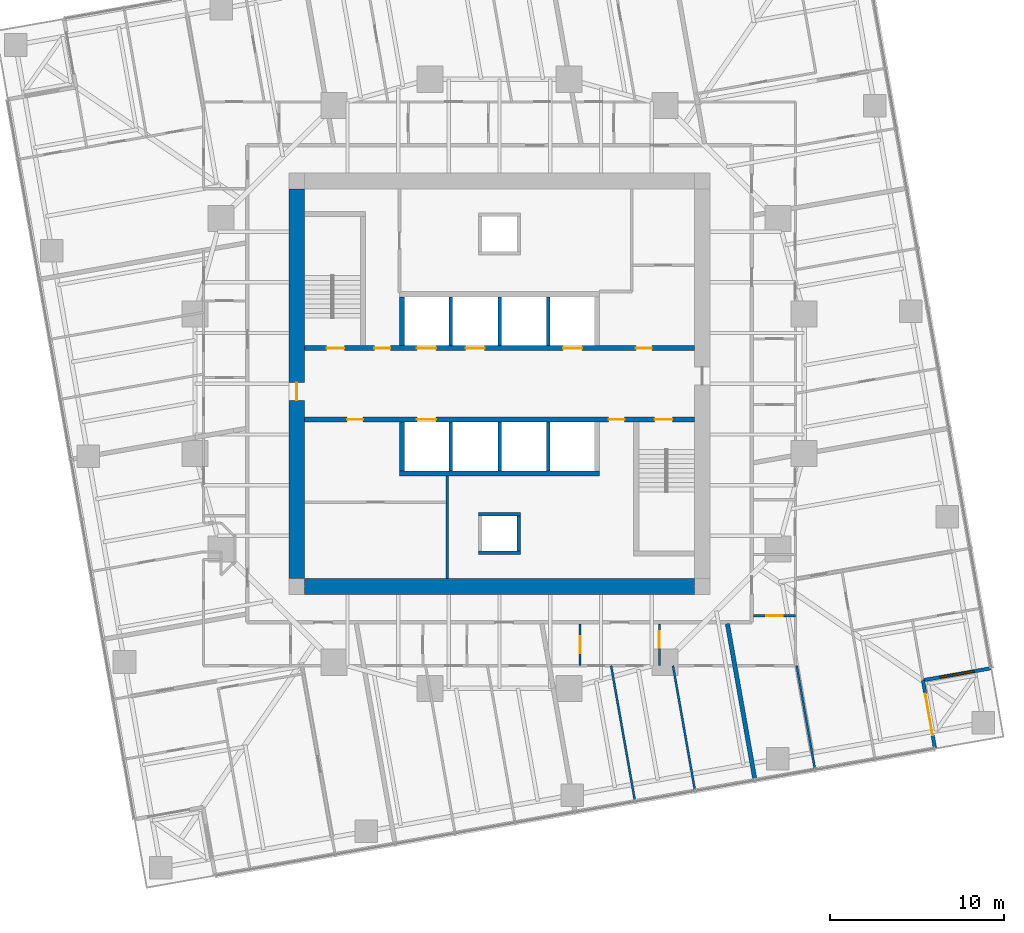
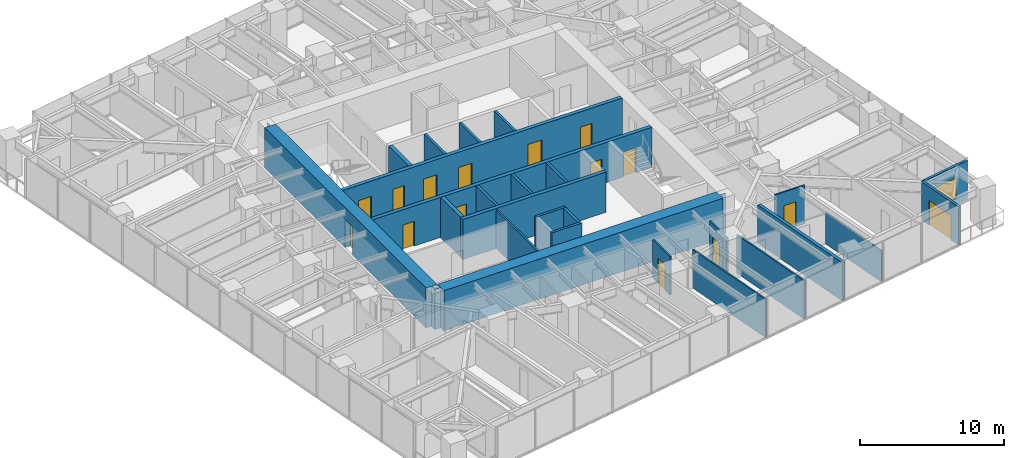
# One storey, part 10 of 14: 26 walls, 15 doors, 1 window, 16 openings.
"""IFC4 building model written with IfcOpenShell, lengths in metres."""

from ifc_helpers import new_model, si_unit, direction, frame, frame_2d, origin, place, context, subcontext, project, spatial, polyline, rectangle, outline, extrude, material, layer, layer_set, type_object, element, fill, save


model = new_model("IFC4")

# Units and contexts
model_context = context("Model", 3, precision=1e-05, world=origin(), true_north=direction((0.0, 1.0)))
body_context = subcontext(model_context, "Body", "Model", "MODEL_VIEW")
ifc_project = project(units=[si_unit("LENGTHUNIT", "METRE"), si_unit("AREAUNIT", "SQUARE_METRE"), si_unit("VOLUMEUNIT", "CUBIC_METRE"), si_unit("PLANEANGLEUNIT", "RADIAN"), si_unit("MASSUNIT", "GRAM", prefix="KILO")], contexts=[model_context])

# Site, building, storey
site_placement = place(None, origin())
site = spatial("IfcSite", under=ifc_project, at=site_placement, CompositionType="ELEMENT")
building_placement = place(site_placement, origin())
building = spatial("IfcBuilding", under=site, at=building_placement, Name="Torsade Residences", CompositionType="ELEMENT")
storey_placement = place(building_placement, frame((0.0, 0.0, 93.0)))
storey = spatial("IfcBuildingStorey", under=building, at=storey_placement, Name="L25", CompositionType="ELEMENT", Elevation=93.0)

# Wall, openings, doors
ifc_material_1 = material(Name="Concrete 80 MPa", Category="concrete")
ifc_layer_1 = layer(ifc_material_1, 0.300048828125)
ifc_layer_set_1 = layer_set([ifc_layer_1], Name="Concrete 80 MPa")
wall_type_1 = type_object("IfcWallType", Name="CORE INTERNAL WALL 300", PredefinedType="SHEAR", material=ifc_layer_set_1)
wall_1_placement = place(storey_placement, frame((28.800048828125, 32.050048828125, 0.0), z_axis=(0.0, 0.0, 1.0), x_axis=(1.0, 0.0, 0.0)))
wall_1 = element("IfcWall", 1, at=wall_1_placement, inside=storey, type_object=wall_type_1, Name="Core wall LN L25", PredefinedType="SHEAR", context=body_context, shape_type="SweptSolid", body=[
    extrude(rectangle(XDim=22.39990234375, YDim=0.300048828125, at=frame_2d((11.199951171875, 0.0))), origin(), (0.0, 0.0, 1.0), 3.39990234375),
])
opening_1_placement = place(wall_1_placement, frame((19.0400390625, 0.0, 0.0)))
opening_1 = element("IfcOpeningElement", 2, at=opening_1_placement, cuts=wall_1, Name="Opening D06", PredefinedType="OPENING", context=body_context, shape_type="SweptSolid", body=[
    extrude(rectangle(XDim=0.919921875, YDim=2.10009765625, at=frame_2d((0.4599609375, 1.050048828125))), frame((0.0, 0.159912109375, 0.0), z_axis=(0.0, -1.0, 0.0), x_axis=(1.0, 0.0, 0.0)), (0.0, 0.0, 1.0), 0.320068359375),
])
opening_2_placement = place(wall_1_placement, frame((1.264892578125, 0.0, 0.0)))
opening_2 = element("IfcOpeningElement", 3, at=opening_2_placement, cuts=wall_1, Name="Opening D03", PredefinedType="OPENING", context=body_context, shape_type="SweptSolid", body=[
    extrude(rectangle(XDim=1.02001953125, YDim=2.10009765625, at=frame_2d((0.510009765625, 1.050048828125))), frame((0.0, 0.159912109375, 0.0), z_axis=(0.0, -1.0, 0.0), x_axis=(1.0, 0.0, 0.0)), (0.0, 0.0, 1.0), 0.320068359375),
])
opening_3_placement = place(wall_1_placement, frame((4.014892578125, 0.0, 0.0)))
opening_3 = element("IfcOpeningElement", 4, at=opening_3_placement, cuts=wall_1, Name="Opening D06", PredefinedType="OPENING", context=body_context, shape_type="SweptSolid", body=[
    extrude(rectangle(XDim=0.919921875, YDim=2.10009765625, at=frame_2d((0.4599609375, 1.050048828125))), frame((0.0, 0.159912109375, 0.0), z_axis=(0.0, -1.0, 0.0), x_axis=(1.0, 0.0, 0.0)), (0.0, 0.0, 1.0), 0.320068359375),
])
opening_4_placement = place(wall_1_placement, frame((6.449951171875, 0.0, 0.0)))
opening_4 = element("IfcOpeningElement", 5, at=opening_4_placement, cuts=wall_1, Name="Opening LD", PredefinedType="OPENING", context=body_context, shape_type="SweptSolid", body=[
    extrude(rectangle(XDim=1.10009765625, YDim=2.10009765625, at=frame_2d((0.550048828125, 1.050048828125))), frame((0.0, 0.159912109375, 0.0), z_axis=(0.0, -1.0, 0.0), x_axis=(1.0, 0.0, 0.0)), (0.0, 0.0, 1.0), 0.320068359375),
])
opening_5_placement = place(wall_1_placement, frame((9.25, 0.0, 0.0)))
opening_5 = element("IfcOpeningElement", 6, at=opening_5_placement, cuts=wall_1, Name="Opening LD", PredefinedType="OPENING", context=body_context, shape_type="SweptSolid", body=[
    extrude(rectangle(XDim=1.10009765625, YDim=2.10009765625, at=frame_2d((0.550048828125, 1.050048828125))), frame((0.0, 0.159912109375, 0.0), z_axis=(0.0, -1.0, 0.0), x_axis=(1.0, 0.0, 0.0)), (0.0, 0.0, 1.0), 0.320068359375),
])
opening_6_placement = place(wall_1_placement, frame((14.85009765625, 0.0, 0.0)))
opening_6 = element("IfcOpeningElement", 7, at=opening_6_placement, cuts=wall_1, Name="Opening LD", PredefinedType="OPENING", context=body_context, shape_type="SweptSolid", body=[
    extrude(rectangle(XDim=1.10009765625, YDim=2.10009765625, at=frame_2d((0.550048828125, 1.050048828125))), frame((0.0, 0.159912109375, 0.0), z_axis=(0.0, -1.0, 0.0), x_axis=(1.0, 0.0, 0.0)), (0.0, 0.0, 1.0), 0.320068359375),
])
ifc_material_2 = material(Name="Steel-framed fire door", Category="steel")
door_type_1 = type_object("IfcDoorType", Name="FIRE DOOR 1020", OperationType="NOTDEFINED", PredefinedType="DOOR", material=ifc_material_2)
door_1_placement = place(opening_2_placement, origin())
door_1 = element("IfcDoor", 8, at=door_1_placement, inside=storey, type_object=door_type_1, Name="Exit door to fire-isolated stair ST1 L25", OperationType="SINGLE_SWING_RIGHT", OverallHeight=2.10009765625, OverallWidth=1.02001953125, PredefinedType="DOOR", context=body_context, shape_type="SweptSolid", body=[
    extrude(rectangle(XDim=1.02001953125, YDim=2.10009765625, at=frame_2d((0.510009765625, 1.050048828125))), frame((0.0, 0.02490234375, 0.0), z_axis=(0.0, -1.0, 0.0), x_axis=(1.0, 0.0, 0.0)), (0.0, 0.0, 1.0), 0.050048828125),
])
fill(opening_2, door_1)
ifc_material_3 = material(Name="Steel-framed fire door", Category="steel")
door_type_2 = type_object("IfcDoorType", Name="FIRE DOOR 920", OperationType="NOTDEFINED", PredefinedType="DOOR", material=ifc_material_3)
door_2_placement = place(opening_1_placement, origin())
door_2 = element("IfcDoor", 9, at=door_2_placement, inside=storey, type_object=door_type_2, Name="Door Lift lobby to Refuse room", OperationType="SINGLE_SWING_LEFT", OverallHeight=2.10009765625, OverallWidth=0.919921875, PredefinedType="DOOR", context=body_context, shape_type="SweptSolid", body=[
    extrude(rectangle(XDim=0.919921875, YDim=2.10009765625, at=frame_2d((0.4599609375, 1.050048828125))), frame((0.0, 0.02490234375, 0.0), z_axis=(0.0, -1.0, 0.0), x_axis=(1.0, 0.0, 0.0)), (0.0, 0.0, 1.0), 0.050048828125),
])
fill(opening_1, door_2)
door_3_placement = place(opening_3_placement, origin())
door_3 = element("IfcDoor", 10, at=door_3_placement, inside=storey, type_object=door_type_2, Name="Door Lift lobby to Meter store", OperationType="SINGLE_SWING_LEFT", OverallHeight=2.10009765625, OverallWidth=0.919921875, PredefinedType="DOOR", context=body_context, shape_type="SweptSolid", body=[
    extrude(rectangle(XDim=0.919921875, YDim=2.10009765625, at=frame_2d((0.4599609375, 1.050048828125))), frame((0.0, 0.02490234375, 0.0), z_axis=(0.0, -1.0, 0.0), x_axis=(1.0, 0.0, 0.0)), (0.0, 0.0, 1.0), 0.050048828125),
])
fill(opening_3, door_3)
ifc_material_4 = material(Name="Stainless steel lift landing door", Category="steel")
door_type_3 = type_object("IfcDoorType", Name="LIFT LANDING DOOR 1100", OperationType="SLIDING_TO_LEFT", PredefinedType="DOOR", material=ifc_material_4)
door_4_placement = place(opening_4_placement, origin())
door_4 = element("IfcDoor", 11, at=door_4_placement, inside=storey, type_object=door_type_3, Name="Lift LA1 landing door L25", OperationType="SLIDING_TO_LEFT", OverallHeight=2.10009765625, OverallWidth=1.10009765625, PredefinedType="DOOR", context=body_context, shape_type="SweptSolid", body=[
    extrude(rectangle(XDim=1.10009765625, YDim=2.10009765625, at=frame_2d((0.550048828125, 1.050048828125))), frame((0.0, 0.02490234375, 0.0), z_axis=(0.0, -1.0, 0.0), x_axis=(1.0, 0.0, 0.0)), (0.0, 0.0, 1.0), 0.050048828125),
])
fill(opening_4, door_4)
door_5_placement = place(opening_5_placement, origin())
door_5 = element("IfcDoor", 12, at=door_5_placement, inside=storey, type_object=door_type_3, Name="Lift LA2 landing door L25", OperationType="SLIDING_TO_LEFT", OverallHeight=2.10009765625, OverallWidth=1.10009765625, PredefinedType="DOOR", context=body_context, shape_type="SweptSolid", body=[
    extrude(rectangle(XDim=1.10009765625, YDim=2.10009765625, at=frame_2d((0.550048828125, 1.050048828125))), frame((0.0, 0.02490234375, 0.0), z_axis=(0.0, -1.0, 0.0), x_axis=(1.0, 0.0, 0.0)), (0.0, 0.0, 1.0), 0.050048828125),
])
fill(opening_5, door_5)
door_6_placement = place(opening_6_placement, origin())
door_6 = element("IfcDoor", 13, at=door_6_placement, inside=storey, type_object=door_type_3, Name="Lift FL1 landing door L25", OperationType="SLIDING_TO_LEFT", OverallHeight=2.10009765625, OverallWidth=1.10009765625, PredefinedType="DOOR", context=body_context, shape_type="SweptSolid", body=[
    extrude(rectangle(XDim=1.10009765625, YDim=2.10009765625, at=frame_2d((0.550048828125, 1.050048828125))), frame((0.0, 0.02490234375, 0.0), z_axis=(0.0, -1.0, 0.0), x_axis=(1.0, 0.0, 0.0)), (0.0, 0.0, 1.0), 0.050048828125),
])
fill(opening_6, door_6)

wall_2_placement = place(storey_placement, frame((51.199951171875, 27.949951171875, 0.0), z_axis=(0.0, 0.0, 1.0), x_axis=(-1.0, 0.0, 0.0)))
wall_2 = element("IfcWall", 14, at=wall_2_placement, inside=storey, type_object=wall_type_1, Name="Core wall LS L25", PredefinedType="SHEAR", context=body_context, shape_type="SweptSolid", body=[
    extrude(rectangle(XDim=22.39990234375, YDim=0.300048828125, at=frame_2d((11.199951171875, 0.0))), origin(), (0.0, 0.0, 1.0), 3.39990234375),
])
opening_7_placement = place(wall_2_placement, frame((19.0400390625, 0.0, 0.0)))
opening_7 = element("IfcOpeningElement", 15, at=opening_7_placement, cuts=wall_2, Name="Opening D06", PredefinedType="OPENING", context=body_context, shape_type="SweptSolid", body=[
    extrude(rectangle(XDim=0.919921875, YDim=2.10009765625, at=frame_2d((0.4599609375, 1.050048828125))), frame((0.0, 0.159912109375, 0.0), z_axis=(0.0, -1.0, 0.0), x_axis=(1.0, 0.0, 0.0)), (0.0, 0.0, 1.0), 0.320068359375),
])
opening_8_placement = place(wall_2_placement, frame((1.264892578125, 0.0, 0.0)))
opening_8 = element("IfcOpeningElement", 16, at=opening_8_placement, cuts=wall_2, Name="Opening D03", PredefinedType="OPENING", context=body_context, shape_type="SweptSolid", body=[
    extrude(rectangle(XDim=1.02001953125, YDim=2.10009765625, at=frame_2d((0.510009765625, 1.050048828125))), frame((0.0, 0.159912109375, 0.0), z_axis=(0.0, -1.0, 0.0), x_axis=(1.0, 0.0, 0.0)), (0.0, 0.0, 1.0), 0.320068359375),
])
opening_9_placement = place(wall_2_placement, frame((4.014892578125, 0.0, 0.0)))
opening_9 = element("IfcOpeningElement", 17, at=opening_9_placement, cuts=wall_2, Name="Opening D06", PredefinedType="OPENING", context=body_context, shape_type="SweptSolid", body=[
    extrude(rectangle(XDim=0.919921875, YDim=2.10009765625, at=frame_2d((0.4599609375, 1.050048828125))), frame((0.0, 0.159912109375, 0.0), z_axis=(0.0, -1.0, 0.0), x_axis=(1.0, 0.0, 0.0)), (0.0, 0.0, 1.0), 0.320068359375),
])
opening_10_placement = place(wall_2_placement, frame((14.85009765625, 0.0, 0.0)))
opening_10 = element("IfcOpeningElement", 18, at=opening_10_placement, cuts=wall_2, Name="Opening LD", PredefinedType="OPENING", context=body_context, shape_type="SweptSolid", body=[
    extrude(rectangle(XDim=1.10009765625, YDim=2.10009765625, at=frame_2d((0.550048828125, 1.050048828125))), frame((0.0, 0.159912109375, 0.0), z_axis=(0.0, -1.0, 0.0), x_axis=(1.0, 0.0, 0.0)), (0.0, 0.0, 1.0), 0.320068359375),
])
door_7_placement = place(opening_8_placement, origin())
door_7 = element("IfcDoor", 19, at=door_7_placement, inside=storey, type_object=door_type_1, Name="Exit door to fire-isolated stair ST2 L25", OperationType="SINGLE_SWING_RIGHT", OverallHeight=2.10009765625, OverallWidth=1.02001953125, PredefinedType="DOOR", context=body_context, shape_type="SweptSolid", body=[
    extrude(rectangle(XDim=1.02001953125, YDim=2.10009765625, at=frame_2d((0.510009765625, 1.050048828125))), frame((0.0, 0.02490234375, 0.0), z_axis=(0.0, -1.0, 0.0), x_axis=(1.0, 0.0, 0.0)), (0.0, 0.0, 1.0), 0.050048828125),
])
fill(opening_8, door_7)
door_8_placement = place(opening_7_placement, origin())
door_8 = element("IfcDoor", 20, at=door_8_placement, inside=storey, type_object=door_type_2, Name="Door Lift lobby to Cleaner store", OperationType="SINGLE_SWING_LEFT", OverallHeight=2.10009765625, OverallWidth=0.919921875, PredefinedType="DOOR", context=body_context, shape_type="SweptSolid", body=[
    extrude(rectangle(XDim=0.919921875, YDim=2.10009765625, at=frame_2d((0.4599609375, 1.050048828125))), frame((0.0, 0.02490234375, 0.0), z_axis=(0.0, -1.0, 0.0), x_axis=(1.0, 0.0, 0.0)), (0.0, 0.0, 1.0), 0.050048828125),
])
fill(opening_7, door_8)
door_9_placement = place(opening_9_placement, origin())
door_9 = element("IfcDoor", 21, at=door_9_placement, inside=storey, type_object=door_type_2, Name="Door Lift lobby to Communications riser room", OperationType="SINGLE_SWING_RIGHT", OverallHeight=2.10009765625, OverallWidth=0.919921875, PredefinedType="DOOR", context=body_context, shape_type="SweptSolid", body=[
    extrude(rectangle(XDim=0.919921875, YDim=2.10009765625, at=frame_2d((0.4599609375, 1.050048828125))), frame((0.0, 0.02490234375, 0.0), z_axis=(0.0, -1.0, 0.0), x_axis=(1.0, 0.0, 0.0)), (0.0, 0.0, 1.0), 0.050048828125),
])
fill(opening_9, door_9)
door_10_placement = place(opening_10_placement, origin())
door_10 = element("IfcDoor", 22, at=door_10_placement, inside=storey, type_object=door_type_3, Name="Lift FL2 landing door L25", OperationType="SLIDING_TO_LEFT", OverallHeight=2.10009765625, OverallWidth=1.10009765625, PredefinedType="DOOR", context=body_context, shape_type="SweptSolid", body=[
    extrude(rectangle(XDim=1.10009765625, YDim=2.10009765625, at=frame_2d((0.550048828125, 1.050048828125))), frame((0.0, 0.02490234375, 0.0), z_axis=(0.0, -1.0, 0.0), x_axis=(1.0, 0.0, 0.0)), (0.0, 0.0, 1.0), 0.050048828125),
])
fill(opening_10, door_10)

# Walls
wall_3_placement = place(storey_placement, frame((45.75, 24.85009765625, 0.0), z_axis=(0.0, 0.0, 1.0), x_axis=(-1.0, 0.0, 0.0)))
element("IfcWall", 23, at=wall_3_placement, inside=storey, type_object=wall_type_1, Name="Core wall BS L25", PredefinedType="SHEAR", context=body_context, shape_type="SweptSolid", body=[
    extrude(rectangle(XDim=11.5, YDim=0.300048828125, at=frame_2d((5.75, 0.0))), origin(), (0.0, 0.0, 1.0), 3.39990234375),
])
for number, where, z_axis, x_axis, name in (
    (24, (34.39990234375, 32.199951171875, 0.0), (0.0, 0.0, 1.0), (0.0, 1.0, 0.0), "Core wall DN0 L25"),
    (25, (34.39990234375, 27.800048828125, 0.0), (0.0, 0.0, 1.0), (0.0, -1.0, 0.0), "Core wall DS4 L25"),
):
    element("IfcWall", number, at=place(storey_placement, frame(where, z_axis=z_axis, x_axis=x_axis)), inside=storey, type_object=wall_type_1, Name=name, PredefinedType="SHEAR", context=body_context, shape_type="SweptSolid", body=[
        extrude(rectangle(XDim=2.800048828125, YDim=0.300048828125, at=frame_2d((1.39990234375, 0.0))), origin(), (0.0, 0.0, 1.0), 3.39990234375),
    ])
ifc_material_5 = material(Name="Concrete 80 MPa", Category="concrete")
ifc_layer_2 = layer(ifc_material_5, 0.89990234375)
ifc_layer_set_2 = layer_set([ifc_layer_2], Name="Concrete 80 MPa")
wall_type_2 = type_object("IfcWallType", Name="CORE WALL 900", PredefinedType="SHEAR", material=ifc_layer_set_2)
wall_4_placement = place(storey_placement, frame((51.199951171875, 18.35009765625, 0.0), z_axis=(0.0, 0.0, 1.0), x_axis=(-1.0, 0.0, 0.0)))
element("IfcWall", 26, at=wall_4_placement, inside=storey, type_object=wall_type_2, Name="Core wall S L25", PredefinedType="SHEAR", context=body_context, shape_type="SweptSolid", body=[
    extrude(outline(polyline([(0.0, -0.449951171875), (22.39990234375, -0.449951171875), (22.39990234375, -0.02490234375), (22.849853515625, -0.02490234375), (22.849853515625, 0.02490234375), (22.39990234375, 0.02490234375), (22.39990234375, 0.449951171875), (0.0, 0.449951171875), (0.0, 0.02490234375), (-0.449951171875, 0.02490234375), (-0.449951171875, -0.02490234375), (0.0, -0.02490234375), (0.0, -0.449951171875)])), origin(), (0.0, 0.0, 1.0), 3.39990234375),
])

# Wall, opening, door
wall_5_placement = place(storey_placement, frame((28.35009765625, 41.199951171875, 0.0), z_axis=(0.0, 0.0, 1.0), x_axis=(0.0, -1.0, 0.0)))
wall_5 = element("IfcWall", 27, at=wall_5_placement, inside=storey, type_object=wall_type_2, Name="Core wall W L25", PredefinedType="SHEAR", context=body_context, shape_type="SweptSolid", body=[
    extrude(outline(polyline([(0.0, -0.449951171875), (22.39990234375, -0.449951171875), (22.39990234375, -0.02490234375), (22.849853515625, -0.02490234375), (22.849853515625, 0.02490234375), (22.39990234375, 0.02490234375), (22.39990234375, 0.449951171875), (0.0, 0.449951171875), (0.0, 0.02490234375), (-0.449951171875, 0.02490234375), (-0.449951171875, -0.02490234375), (0.0, -0.02490234375), (0.0, -0.449951171875)])), origin(), (0.0, 0.0, 1.0), 3.39990234375),
])
opening_11_placement = place(wall_5_placement, frame((11.139892578125, 0.0, 0.0)))
opening_11 = element("IfcOpeningElement", 28, at=opening_11_placement, cuts=wall_5, Name="Opening D04", PredefinedType="OPENING", context=body_context, shape_type="SweptSolid", body=[
    extrude(rectangle(XDim=1.02001953125, YDim=2.39990234375, at=frame_2d((0.510009765625, 1.199951171875))), frame((0.0, 0.4599609375, 0.0), z_axis=(0.0, -1.0, 0.0), x_axis=(1.0, 0.0, 0.0)), (0.0, 0.0, 1.0), 0.919921875),
])
ifc_material_6 = material(Name="Steel-framed fire door", Category="steel")
door_type_4 = type_object("IfcDoorType", Name="LOBBY SMOKE DOOR 1020x2400", OperationType="NOTDEFINED", PredefinedType="DOOR", material=ifc_material_6)
door_11_placement = place(opening_11_placement, origin())
door_11 = element("IfcDoor", 29, at=door_11_placement, inside=storey, type_object=door_type_4, Name="Lift lobby door W L25", OperationType="SINGLE_SWING_RIGHT", OverallHeight=2.39990234375, OverallWidth=1.02001953125, PredefinedType="DOOR", context=body_context, shape_type="SweptSolid", body=[
    extrude(rectangle(XDim=1.02001953125, YDim=2.39990234375, at=frame_2d((0.510009765625, 1.199951171875))), frame((0.0, 0.02490234375, 0.0), z_axis=(0.0, -1.0, 0.0), x_axis=(1.0, 0.0, 0.0)), (0.0, 0.0, 1.0), 0.050048828125),
])
fill(opening_11, door_11)

# Walls
ifc_material_7 = material(Name="Reinforced blockwork", Category="masonry")
ifc_layer_3 = layer(ifc_material_7, 0.199951171875)
ifc_layer_set_3 = layer_set([ifc_layer_3], Name="Reinforced blockwork")
wall_type_3 = type_object("IfcWallType", Name="LIFT SHAFT DIVIDING WALL 200", PredefinedType="SOLIDWALL", material=ifc_layer_set_3)
for number, where, z_axis, x_axis, name in (
    (30, (37.199951171875, 32.199951171875, 0.0), (0.0, 0.0, 1.0), (0.0, 1.0, 0.0), "Core wall DN1 L25"),
    (31, (42.800048828125, 27.800048828125, 0.0), (0.0, 0.0, 1.0), (0.0, -1.0, 0.0), "Core wall DS1 L25"),
    (32, (40.0, 32.199951171875, 0.0), (0.0, 0.0, 1.0), (0.0, 1.0, 0.0), "Core wall DN2 L25"),
    (33, (40.0, 27.800048828125, 0.0), (0.0, 0.0, 1.0), (0.0, -1.0, 0.0), "Core wall DS2 L25"),
    (34, (42.800048828125, 32.199951171875, 0.0), (0.0, 0.0, 1.0), (0.0, 1.0, 0.0), "Core wall DN3 L25"),
    (35, (37.199951171875, 27.800048828125, 0.0), (0.0, 0.0, 1.0), (0.0, -1.0, 0.0), "Core wall DS3 L25"),
):
    element("IfcWall", number, at=place(storey_placement, frame(where, z_axis=z_axis, x_axis=x_axis)), inside=storey, type_object=wall_type_3, Name=name, PredefinedType="SOLIDWALL", context=body_context, shape_type="SweptSolid", body=[
        extrude(rectangle(XDim=2.800048828125, YDim=0.199951171875, at=frame_2d((1.39990234375, 0.0))), origin(), (0.0, 0.0, 1.0), 3.39990234375),
    ])

# Wall, opening, door
ifc_material_8 = material(Name="Plasterboard on steel stud", Category="steel")
ifc_layer_4 = layer(ifc_material_8, 0.1201171875)
ifc_layer_set_4 = layer_set([ifc_layer_4], Name="Plasterboard on steel stud")
wall_type_4 = type_object("IfcWallType", Name="PARTITION 120", PredefinedType="PARTITIONING", material=ifc_layer_set_4)
wall_6_placement = place(storey_placement, frame((49.184814453125, 16.199951171875, 0.0), z_axis=(0.0, 0.0, 1.0), x_axis=(0.0, -1.0, 0.0)))
wall_6 = element("IfcWall", 36, at=wall_6_placement, inside=storey, type_object=wall_type_4, Name="Partition L25", PredefinedType="PARTITIONING", context=body_context, shape_type="SweptSolid", body=[
    extrude(rectangle(XDim=2.39990234375, YDim=0.1201171875, at=frame_2d((1.199951171875, 0.0))), origin(), (0.0, 0.0, 1.0), 3.25),
])
opening_12_placement = place(wall_6_placement, frame((0.419921875, 0.0, 0.0)))
opening_12 = element("IfcOpeningElement", 37, at=opening_12_placement, cuts=wall_6, Name="Opening D05", PredefinedType="OPENING", context=body_context, shape_type="SweptSolid", body=[
    extrude(rectangle(XDim=0.9599609375, YDim=2.10009765625, at=frame_2d((0.47998046875, 1.050048828125))), frame((0.0, 0.070068359375, 0.0), z_axis=(0.0, -1.0, 0.0), x_axis=(1.0, 0.0, 0.0)), (0.0, 0.0, 1.0), 0.14013671875),
])
ifc_material_9 = material(Name="Hollow-core timber door in a steel cavity frame", Category="steel")
door_type_5 = type_object("IfcDoorType", Name="BATHROOM CAVITY SLIDING DOOR 960", OperationType="SLIDING_TO_LEFT", PredefinedType="DOOR", material=ifc_material_9)
door_12_placement = place(opening_12_placement, origin())
door_12 = element("IfcDoor", 38, at=door_12_placement, inside=storey, type_object=door_type_5, Name="Door Kitchen and dining to Bathroom", OperationType="SLIDING_TO_LEFT", OverallHeight=2.10009765625, OverallWidth=0.9599609375, PredefinedType="DOOR", context=body_context, shape_type="SweptSolid", body=[
    extrude(rectangle(XDim=0.9599609375, YDim=2.10009765625, at=frame_2d((0.47998046875, 1.050048828125))), frame((0.0, 0.02490234375, 0.0), z_axis=(0.0, -1.0, 0.0), x_axis=(1.0, 0.0, 0.0)), (0.0, 0.0, 1.0), 0.050048828125),
])
fill(opening_12, door_12)

wall_7_placement = place(storey_placement, frame((44.627685546875, 13.800048828125, 0.0), z_axis=(0.0, 0.0, 1.0), x_axis=(0.0, 1.0, 0.0)))
wall_7 = element("IfcWall", 39, at=wall_7_placement, inside=storey, type_object=wall_type_4, Name="Partition L25", PredefinedType="PARTITIONING", context=body_context, shape_type="SweptSolid", body=[
    extrude(rectangle(XDim=2.39990234375, YDim=0.1201171875, at=frame_2d((1.199951171875, 0.0))), origin(), (0.0, 0.0, 1.0), 3.25),
])
opening_13_placement = place(wall_7_placement, frame((0.719970703125, 0.0, 0.0)))
opening_13 = element("IfcOpeningElement", 40, at=opening_13_placement, cuts=wall_7, Name="Opening D05", PredefinedType="OPENING", context=body_context, shape_type="SweptSolid", body=[
    extrude(rectangle(XDim=0.9599609375, YDim=2.10009765625, at=frame_2d((0.47998046875, 1.050048828125))), frame((0.0, 0.070068359375, 0.0), z_axis=(0.0, -1.0, 0.0), x_axis=(1.0, 0.0, 0.0)), (0.0, 0.0, 1.0), 0.14013671875),
])
door_13_placement = place(opening_13_placement, origin())
door_13 = element("IfcDoor", 41, at=door_13_placement, inside=storey, type_object=door_type_5, Name="Door Kitchen and dining to Ensuite", OperationType="SLIDING_TO_LEFT", OverallHeight=2.10009765625, OverallWidth=0.9599609375, PredefinedType="DOOR", context=body_context, shape_type="SweptSolid", body=[
    extrude(rectangle(XDim=0.9599609375, YDim=2.10009765625, at=frame_2d((0.47998046875, 1.050048828125))), frame((0.0, 0.02490234375, 0.0), z_axis=(0.0, -1.0, 0.0), x_axis=(1.0, 0.0, 0.0)), (0.0, 0.0, 1.0), 0.050048828125),
])
fill(opening_13, door_13)

# Walls
wall_8_placement = place(storey_placement, frame((46.410400390625, 13.800048828125, 0.0), z_axis=(0.0, 0.0, 1.0), x_axis=(0.173645935638, -0.98480814834, 0.0)))
element("IfcWall", 42, at=wall_8_placement, inside=storey, type_object=wall_type_4, Name="Partition L25", PredefinedType="PARTITIONING", context=body_context, shape_type="SweptSolid", body=[
    extrude(rectangle(XDim=7.89306640625, YDim=0.1201171875, at=frame_2d((3.946533203125, 0.0))), origin(), (0.0, 0.0, 1.0), 3.25),
])
wall_9_placement = place(storey_placement, frame((49.96435546875, 13.800048828125, 0.0), z_axis=(0.0, 0.0, 1.0), x_axis=(0.173647508681, -0.984807870972, 0.0)))
element("IfcWall", 43, at=wall_9_placement, inside=storey, type_object=wall_type_4, Name="Partition L25", PredefinedType="PARTITIONING", context=body_context, shape_type="SweptSolid", body=[
    extrude(rectangle(XDim=7.27587890625, YDim=0.1201171875, at=frame_2d((3.637939453125, 0.0))), origin(), (0.0, 0.0, 1.0), 3.25),
])

# Wall, opening, door
wall_10_placement = place(storey_placement, frame((57.0, 16.671142578125, 0.0), z_axis=(0.0, 0.0, 1.0), x_axis=(-1.0, 0.0, 0.0)))
wall_10 = element("IfcWall", 44, at=wall_10_placement, inside=storey, type_object=wall_type_4, Name="Partition L25", PredefinedType="PARTITIONING", context=body_context, shape_type="SweptSolid", body=[
    extrude(rectangle(XDim=2.39990234375, YDim=0.1201171875, at=frame_2d((1.199951171875, 0.0))), origin(), (0.0, 0.0, 1.0), 3.25),
])
opening_14_placement = place(wall_10_placement, frame((0.719970703125, 0.0, 0.0)))
opening_14 = element("IfcOpeningElement", 45, at=opening_14_placement, cuts=wall_10, Name="Opening D05", PredefinedType="OPENING", context=body_context, shape_type="SweptSolid", body=[
    extrude(rectangle(XDim=0.9599609375, YDim=2.10009765625, at=frame_2d((0.47998046875, 1.050048828125))), frame((0.0, 0.070068359375, 0.0), z_axis=(0.0, -1.0, 0.0), x_axis=(1.0, 0.0, 0.0)), (0.0, 0.0, 1.0), 0.14013671875),
])
door_14_placement = place(opening_14_placement, origin())
door_14 = element("IfcDoor", 46, at=door_14_placement, inside=storey, type_object=door_type_5, Name="Door Kitchen and dining to WC", OperationType="SLIDING_TO_LEFT", OverallHeight=2.10009765625, OverallWidth=0.9599609375, PredefinedType="DOOR", context=body_context, shape_type="SweptSolid", body=[
    extrude(rectangle(XDim=0.9599609375, YDim=2.10009765625, at=frame_2d((0.47998046875, 1.050048828125))), frame((0.0, 0.02490234375, 0.0), z_axis=(0.0, -1.0, 0.0), x_axis=(1.0, 0.0, 0.0)), (0.0, 0.0, 1.0), 0.050048828125),
])
fill(opening_14, door_14)

# Walls
wall_11_placement = place(storey_placement, frame((58.12158203125, 7.850341796875, 0.0), z_axis=(0.0, 0.0, 1.0), x_axis=(-0.173644708382, 0.984808364734, 0.0)))
element("IfcWall", 47, at=wall_11_placement, inside=storey, type_object=wall_type_4, Name="Partition L25", PredefinedType="PARTITIONING", context=body_context, shape_type="SweptSolid", body=[
    extrude(rectangle(XDim=6.04150390625, YDim=0.1201171875, at=frame_2d((3.020751953125, 0.0))), origin(), (0.0, 0.0, 1.0), 2.637939453125),
])
ifc_material_10 = material(Name="Masonry-lined stud party wall", Category="masonry")
ifc_layer_5 = layer(ifc_material_10, 0.25)
ifc_layer_set_5 = layer_set([ifc_layer_5], Name="Masonry-lined stud party wall")
wall_type_5 = type_object("IfcWallType", Name="PARTY WALL 250", PredefinedType="PARTITIONING", material=ifc_layer_set_5)
wall_12_placement = place(storey_placement, frame((54.681640625, 7.203125, 0.0), z_axis=(0.0, 0.0, 1.0), x_axis=(-0.173630137029, 0.984810933893, 0.0)))
element("IfcWall", 48, at=wall_12_placement, inside=storey, type_object=wall_type_5, Name="Party wall L25", PredefinedType="PARTITIONING", context=body_context, shape_type="SweptSolid", body=[
    extrude(rectangle(XDim=9.153564453125, YDim=0.25, at=frame_2d((4.57666015625, 0.0))), origin(), (0.0, 0.0, 1.0), 3.25),
])
ifc_material_11 = material(Name="Reinforced blockwork", Category="masonry")
ifc_layer_6 = layer(ifc_material_11, 0.199951171875)
ifc_layer_set_6 = layer_set([ifc_layer_6], Name="Reinforced blockwork")
wall_type_6 = type_object("IfcWallType", Name="RISER SHAFT WALL 200", PredefinedType="SOLIDWALL", material=ifc_layer_set_6)
wall_13_placement = place(storey_placement, frame((41.10009765625, 22.39990234375, 0.0), z_axis=(0.0, 0.0, 1.0), x_axis=(0.0, -1.0, 0.0)))
element("IfcWall", 49, at=wall_13_placement, inside=storey, type_object=wall_type_6, Name="Core wall RS2b L25", PredefinedType="SOLIDWALL", context=body_context, shape_type="SweptSolid", body=[
    extrude(rectangle(XDim=2.0, YDim=0.199951171875, at=frame_2d((1.0, 0.0))), origin(), (0.0, 0.0, 1.0), 3.39990234375),
])
for number, where, z_axis, x_axis, name in (
    (50, (38.800048828125, 22.5, 0.0), (0.0, 0.0, 1.0), (1.0, 0.0, 0.0), "Core wall RS2c L25"),
    (51, (38.800048828125, 20.300048828125, 0.0), (0.0, 0.0, 1.0), (1.0, 0.0, 0.0), "Core wall RS2d L25"),
):
    element("IfcWall", number, at=place(storey_placement, frame(where, z_axis=z_axis, x_axis=x_axis)), inside=storey, type_object=wall_type_6, Name=name, PredefinedType="SOLIDWALL", context=body_context, shape_type="SweptSolid", body=[
        extrude(rectangle(XDim=2.39990234375, YDim=0.199951171875, at=frame_2d((1.199951171875, 0.0))), origin(), (0.0, 0.0, 1.0), 3.39990234375),
    ])
ifc_material_12 = material(Name="Reinforced blockwork", Category="masonry")
ifc_layer_7 = layer(ifc_material_12, 0.14990234375)
ifc_layer_set_7 = layer_set([ifc_layer_7], Name="Reinforced blockwork")
wall_type_7 = type_object("IfcWallType", Name="SERVICE ROOM WALL 150", PredefinedType="SOLIDWALL", material=ifc_layer_set_7)
wall_14_placement = place(storey_placement, frame((37.0, 18.800048828125, 0.0), z_axis=(0.0, 0.0, 1.0), x_axis=(0.0, 1.0, 0.0)))
element("IfcWall", 52, at=wall_14_placement, inside=storey, type_object=wall_type_7, Name="Service room wall L25", PredefinedType="SOLIDWALL", context=body_context, shape_type="SweptSolid", body=[
    extrude(rectangle(XDim=5.89990234375, YDim=0.14990234375, at=frame_2d((2.949951171875, 0.0))), origin(), (0.0, 0.0, 1.0), 3.25),
])

# Wall, opening, door
ifc_material_13 = material(Name="Stone-faced precast concrete 40 MPa panel", Category="masonry")
ifc_layer_8 = layer(ifc_material_13, 0.199951171875)
ifc_layer_set_8 = layer_set([ifc_layer_8], Name="Stone-faced precast concrete 40 MPa panel")
wall_type_8 = type_object("IfcWallType", Name="TERRACE WALL 200", PredefinedType="SOLIDWALL", material=ifc_layer_set_8)
wall_15_placement = place(storey_placement, frame((65.022216796875, 9.0263671875, 0.0), z_axis=(0.0, 0.0, 1.0), x_axis=(-0.173646056486, 0.984808127031, 0.0)))
wall_15 = element("IfcWall", 53, at=wall_15_placement, inside=storey, type_object=wall_type_8, Name="Terrace wall L25 2", PredefinedType="SOLIDWALL", context=body_context, shape_type="SweptSolid", body=[
    extrude(rectangle(XDim=4.0, YDim=0.199951171875, at=frame_2d((2.0, 0.0))), origin(), (0.0, 0.0, 1.0), 3.25),
])
opening_15_placement = place(wall_15_placement, frame((0.800048828125, 0.0, 0.0)))
opening_15 = element("IfcOpeningElement", 54, at=opening_15_placement, cuts=wall_15, Name="Opening D10A", PredefinedType="OPENING", context=body_context, shape_type="SweptSolid", body=[
    extrude(rectangle(XDim=2.39990234375, YDim=2.10009765625, at=frame_2d((1.199951171875, 1.050048828125))), frame((0.0, 0.10986328125, 0.0), z_axis=(0.0, -1.0, 0.0), x_axis=(1.0, 0.0, 0.0)), (0.0, 0.0, 1.0), 0.219970703125),
])
ifc_material_14 = material(Name="Aluminium-framed glass door", Category="aluminium")
door_type_6 = type_object("IfcDoorType", Name="TERRACE SLIDING DOOR 2400x2100", OperationType="SLIDING_TO_LEFT", PredefinedType="DOOR", material=ifc_material_14)
door_15_placement = place(opening_15_placement, origin())
door_15 = element("IfcDoor", 55, at=door_15_placement, inside=storey, type_object=door_type_6, Name="Terrace door L25 2", OperationType="SLIDING_TO_LEFT", OverallHeight=2.10009765625, OverallWidth=2.39990234375, PredefinedType="DOOR", context=body_context, shape_type="SweptSolid", body=[
    extrude(rectangle(XDim=2.39990234375, YDim=2.10009765625, at=frame_2d((1.199951171875, 1.050048828125))), frame((0.0, 0.02490234375, 0.0), z_axis=(0.0, -1.0, 0.0), x_axis=(1.0, 0.0, 0.0)), (0.0, 0.0, 1.0), 0.050048828125),
])
fill(opening_15, door_15)

# Wall, opening, window
wall_16_placement = place(storey_placement, frame((64.32763671875, 12.965576171875, 0.0), z_axis=(0.0, 0.0, 1.0), x_axis=(0.984808127031, 0.173646056486, 0.0)))
wall_16 = element("IfcWall", 56, at=wall_16_placement, inside=storey, type_object=wall_type_8, Name="Terrace wall L25 3", PredefinedType="SOLIDWALL", context=body_context, shape_type="SweptSolid", body=[
    extrude(rectangle(XDim=4.0, YDim=0.199951171875, at=frame_2d((2.0, 0.0))), origin(), (0.0, 0.0, 1.0), 3.25),
])
opening_16_placement = place(wall_16_placement, frame((1.0, 0.0, 0.449951171875)))
opening_16 = element("IfcOpeningElement", 57, at=opening_16_placement, cuts=wall_16, Name="Opening W1B", PredefinedType="OPENING", context=body_context, shape_type="SweptSolid", body=[
    extrude(rectangle(XDim=2.0, YDim=1.800048828125, at=frame_2d((1.0, 0.89990234375))), frame((0.0, 0.10986328125, 0.0), z_axis=(0.0, -1.0, 0.0), x_axis=(1.0, 0.0, 0.0)), (0.0, 0.0, 1.0), 0.219970703125),
])
ifc_material_15 = material(Name="Aluminium-framed glass window", Category="aluminium")
window_type = type_object("IfcWindowType", Name="TERRACE WINDOW 2000x1800", PartitioningType="SINGLE_PANEL", PredefinedType="WINDOW", material=ifc_material_15)
window_placement = place(opening_16_placement, origin())
window = element("IfcWindow", 58, at=window_placement, inside=storey, type_object=window_type, Name="Terrace window L25 3", OverallHeight=1.800048828125, OverallWidth=2.0, PartitioningType="SINGLE_PANEL", PredefinedType="WINDOW", context=body_context, shape_type="SweptSolid", body=[
    extrude(rectangle(XDim=2.0, YDim=1.800048828125, at=frame_2d((1.0, 0.89990234375))), frame((0.0, 0.030029296875, 0.0), z_axis=(0.0, -1.0, 0.0), x_axis=(1.0, 0.0, 0.0)), (0.0, 0.0, 1.0), 0.06005859375),
])
fill(opening_16, window)

save(model, "model.ifc")
